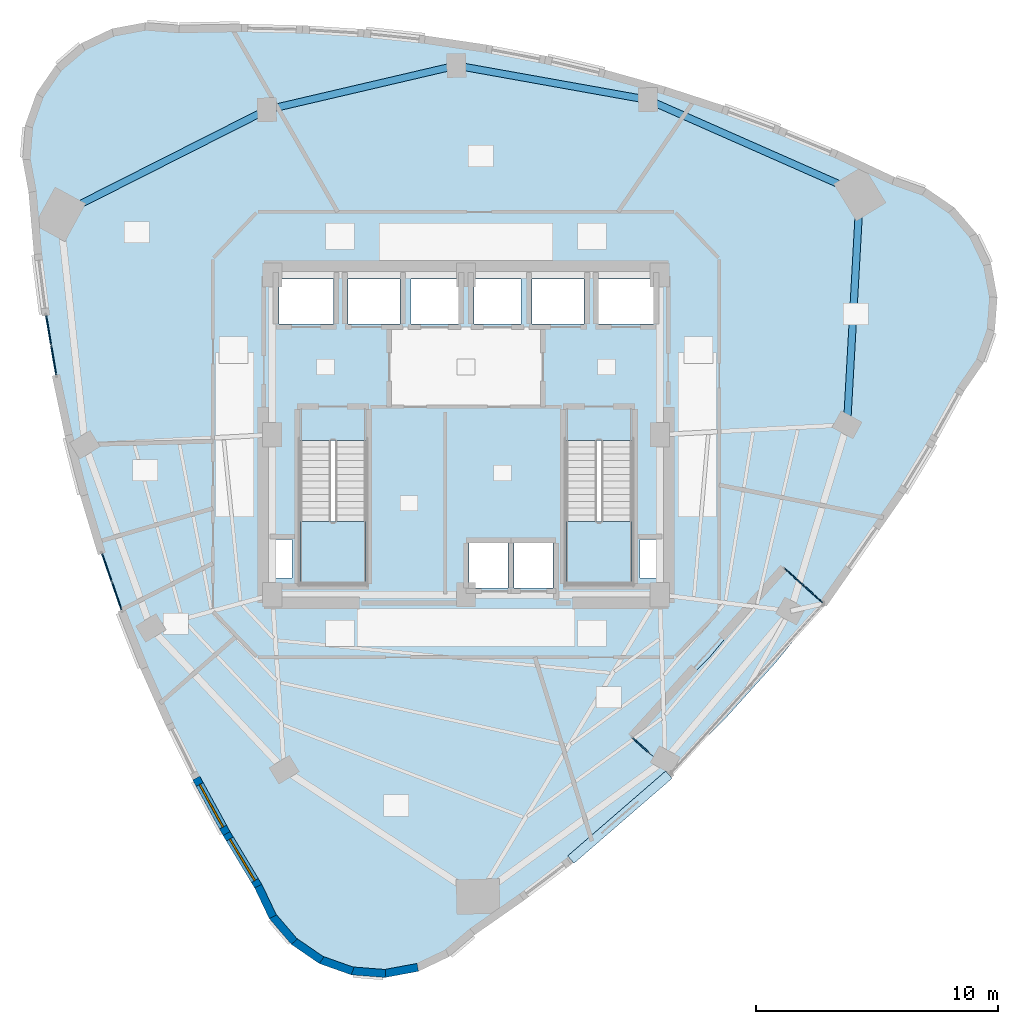
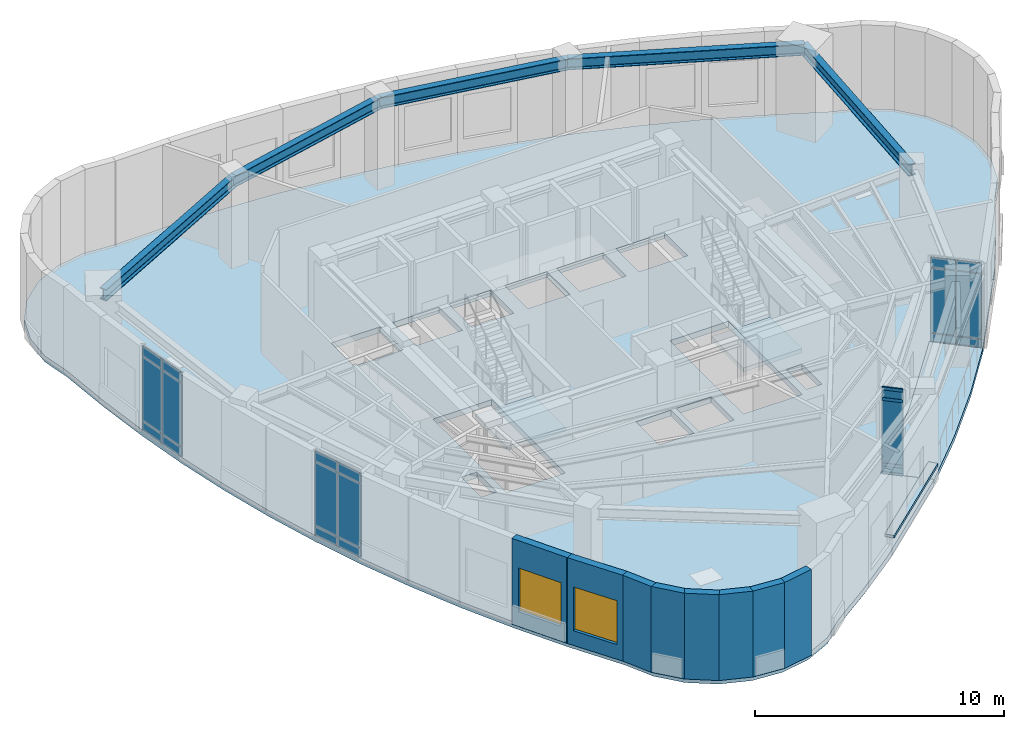
# One storey, part 11 of 18: 22 plates, 8 walls, 5 beams, 4 members, 4 slabs, 2 windows, 2 openings, 6 elements without a shape of their own.
"""IFC4 building model written with IfcOpenShell, lengths in metres."""

from ifc_helpers import new_model, si_unit, direction, frame, frame_2d, origin, origin_2d, place, context, subcontext, project, spatial, polyline, rectangle, hollow_rectangle, i_section, outline, extrude, material, layer, layer_set, material_profile, profile_set, type_object, element, fill, aggregate, save


model = new_model("IFC4")

# Units and contexts
model_context = context("Model", 3, precision=1e-05, world=origin(), true_north=direction((0.0, 1.0)))
body_context = subcontext(model_context, "Body", "Model", "MODEL_VIEW")
ifc_project = project(units=[si_unit("LENGTHUNIT", "METRE"), si_unit("AREAUNIT", "SQUARE_METRE"), si_unit("VOLUMEUNIT", "CUBIC_METRE"), si_unit("PLANEANGLEUNIT", "RADIAN"), si_unit("MASSUNIT", "GRAM", prefix="KILO")], contexts=[model_context])

# Site, building, storey
site_placement = place(None, origin())
site = spatial("IfcSite", under=ifc_project, at=site_placement, CompositionType="ELEMENT")
building_placement = place(site_placement, origin())
building = spatial("IfcBuilding", under=site, at=building_placement, Name="Ndelora Gate Hotel", CompositionType="ELEMENT")
storey_placement = place(building_placement, frame((0.0, 0.0, 173.75)))
storey = spatial("IfcBuildingStorey", under=building, at=storey_placement, Name="L43", CompositionType="ELEMENT", Elevation=173.75)

# Beams
ifc_material_1 = material(Name="Steel S355", Category="steel")
ifc_material_profile_1 = material_profile(ifc_material_1, i_section(OverallWidth=0.300048828125, OverallDepth=0.550048828125, WebThickness=0.014892578125, FlangeThickness=0.029052734375, FilletRadius=0.027099609375, at=origin_2d()), Name="HEB 550")
ifc_profile_set_1 = profile_set([ifc_material_profile_1], Name="Steel S355")
beam_type = type_object("IfcBeamType", Name="BM-RING-550", PredefinedType="SPANDREL", material=ifc_profile_set_1)
beam_1_placement = place(storey_placement, frame((15.72998046875, 0.411865234375, 3.93505859375), z_axis=(0.055426206248, 0.998462786318, 0.0), x_axis=(-0.998462786318, 0.055426206248, 0.0)))
element("IfcBeam", 1, at=beam_1_placement, inside=storey, type_object=beam_type, Name="L43 Perimeter Spandrel Girder 8", PredefinedType="SPANDREL", context=body_context, shape_type="SweptSolid", body=[
    extrude(i_section(OverallWidth=0.300048828125, OverallDepth=0.550048828125, WebThickness=0.014892578125, FlangeThickness=0.029052734375, FilletRadius=0.027099609375, at=origin_2d()), origin(), (0.0, 0.0, 1.0), 9.567138671875),
])
beam_2_placement = place(storey_placement, frame((16.26025390625, 9.96435546875, 3.93505859375), z_axis=(-0.914807449647, 0.403890245078, 0.0), x_axis=(-0.403890245078, -0.914807449647, 0.0)))
element("IfcBeam", 2, at=beam_2_placement, inside=storey, type_object=beam_type, Name="L43 Perimeter Spandrel Girder 9", PredefinedType="SPANDREL", context=body_context, shape_type="SweptSolid", body=[
    extrude(i_section(OverallWidth=0.300048828125, OverallDepth=0.550048828125, WebThickness=0.014892578125, FlangeThickness=0.029052734375, FilletRadius=0.027099609375, at=origin_2d()), origin(), (0.0, 0.0, 1.0), 9.56689453125),
])
for number, where, z_axis, x_axis, name in (
    (3, (7.50830078125, 13.828369140625, 3.93505859375), (-0.984373619655, 0.176092523767, 0.0), (-0.176092523767, -0.984373619655, 0.0), "L43 Perimeter Spandrel Girder 10"),
    (4, (-0.399169921875, 15.242919921875, 3.93505859375), (-0.973809142107, -0.227367004529, 0.0), (0.227367004529, -0.973809142107, 0.0), "L43 Perimeter Spandrel Girder 11"),
):
    element("IfcBeam", number, at=place(storey_placement, frame(where, z_axis=z_axis, x_axis=x_axis)), inside=storey, type_object=beam_type, Name=name, PredefinedType="SPANDREL", context=body_context, shape_type="SweptSolid", body=[
        extrude(i_section(OverallWidth=0.300048828125, OverallDepth=0.550048828125, WebThickness=0.014892578125, FlangeThickness=0.029052734375, FilletRadius=0.027099609375, at=origin_2d()), origin(), (0.0, 0.0, 1.0), 8.032958984375),
    ])
beam_3_placement = place(storey_placement, frame((-8.2216796875, 13.41650390625, 3.93505859375), z_axis=(-0.89241242978, -0.451220628045, 0.0), x_axis=(0.451220628045, -0.89241242978, 0.0)))
element("IfcBeam", 5, at=beam_3_placement, inside=storey, type_object=beam_type, Name="L43 Perimeter Spandrel Girder 12", PredefinedType="SPANDREL", context=body_context, shape_type="SweptSolid", body=[
    extrude(i_section(OverallWidth=0.300048828125, OverallDepth=0.550048828125, WebThickness=0.014892578125, FlangeThickness=0.029052734375, FilletRadius=0.027099609375, at=origin_2d()), origin(), (0.0, 0.0, 1.0), 9.567138671875),
])

# Curtain wall, members, plates
ifc_material_2 = material(Name="Bronze Anodised Unitised Aluminium and Low-E Glass", Category="aluminium")
ifc_layer_1 = layer(ifc_material_2, 0.199951171875)
ifc_layer_set_1 = layer_set([ifc_layer_1], Name="Bronze Anodised Unitised Aluminium and Low-E Glass")
curtain_wall_type_1 = type_object("IfcCurtainWallType", Name="CW-SYS-3", PredefinedType="NOTDEFINED", material=ifc_layer_set_1)
curtain_wall_1_placement = place(storey_placement, origin())
curtain_wall_1 = element("IfcCurtainWall", 6, at=curtain_wall_1_placement, inside=storey, type_object=curtain_wall_type_1, Name="L43 Sky-Garden Loggia Side Curtain Wall CW3-1", PredefinedType="NOTDEFINED")
ifc_material_3 = material(Name="Bronze Anodised Aluminium 6063-T6", Category="aluminium")
ifc_material_profile_2 = material_profile(ifc_material_3, hollow_rectangle(XDim=0.06494140625, YDim=0.159912109375, WallThickness=0.00390625, InnerFilletRadius=0.00390625, OuterFilletRadius=0.008056640625, at=origin_2d()), Name="ALU 160x65x4")
ifc_profile_set_2 = profile_set([ifc_material_profile_2], Name="Bronze Anodised Aluminium 6063-T6")
member_type = type_object("IfcMemberType", Name="MB-CW-TRN150", PredefinedType="USERDEFINED", material=ifc_profile_set_2)
member_1_placement = place(storey_placement, frame((6.879150390625, -12.5185546875, 0.032470703125), z_axis=(0.743251875672, -0.669011695944, 0.0), x_axis=(0.669011695944, 0.743251875672, 0.0)))
member_1 = element("IfcMember", 7, at=member_1_placement, type_object=member_type, Name="CW3 transom 1.1", ObjectType="TRANSOM", PredefinedType="USERDEFINED", context=body_context, shape_type="SweptSolid", body=[
    extrude(hollow_rectangle(XDim=0.06494140625, YDim=0.159912109375, WallThickness=0.00390625, InnerFilletRadius=0.00390625, OuterFilletRadius=0.008056640625, at=origin_2d()), origin(), (0.0, 0.0, 1.0), 0.861572265625),
])
member_2_placement = place(storey_placement, frame((6.879150390625, -12.5185546875, 0.449951171875), z_axis=(0.743251875672, -0.669011695944, 0.0), x_axis=(0.669011695944, 0.743251875672, 0.0)))
member_2 = element("IfcMember", 8, at=member_2_placement, type_object=member_type, Name="CW3 transom 1.2", ObjectType="TRANSOM", PredefinedType="USERDEFINED", context=body_context, shape_type="SweptSolid", body=[
    extrude(hollow_rectangle(XDim=0.06494140625, YDim=0.159912109375, WallThickness=0.00390625, InnerFilletRadius=0.00390625, OuterFilletRadius=0.008056640625, at=origin_2d()), origin(), (0.0, 0.0, 1.0), 0.861572265625),
])
member_3_placement = place(storey_placement, frame((6.879150390625, -12.5185546875, 3.659912109375), z_axis=(0.743251875672, -0.669011695944, 0.0), x_axis=(0.669011695944, 0.743251875672, 0.0)))
member_3 = element("IfcMember", 9, at=member_3_placement, type_object=member_type, Name="CW3 transom 1.3", ObjectType="TRANSOM", PredefinedType="USERDEFINED", context=body_context, shape_type="SweptSolid", body=[
    extrude(hollow_rectangle(XDim=0.06494140625, YDim=0.159912109375, WallThickness=0.00390625, InnerFilletRadius=0.00390625, OuterFilletRadius=0.008056640625, at=origin_2d()), origin(), (0.0, 0.0, 1.0), 0.861572265625),
])
member_4_placement = place(storey_placement, frame((6.879150390625, -12.5185546875, 4.177490234375), z_axis=(0.743251875672, -0.669011695944, 0.0), x_axis=(0.669011695944, 0.743251875672, 0.0)))
member_4 = element("IfcMember", 10, at=member_4_placement, type_object=member_type, Name="CW3 transom 1.4", ObjectType="TRANSOM", PredefinedType="USERDEFINED", context=body_context, shape_type="SweptSolid", body=[
    extrude(hollow_rectangle(XDim=0.06494140625, YDim=0.159912109375, WallThickness=0.00390625, InnerFilletRadius=0.00390625, OuterFilletRadius=0.008056640625, at=origin_2d()), origin(), (0.0, 0.0, 1.0), 0.861572265625),
])
ifc_material_4 = material(Name="Solar-Control Low-E Insulated Glazing", Category="glass")
ifc_layer_2 = layer(ifc_material_4, 0.048095703125)
ifc_layer_set_2 = layer_set([ifc_layer_2], Name="Solar-Control Low-E Insulated Glazing")
plate_type_1 = type_object("IfcPlateType", Name="PL-CW-GLZ36", PredefinedType="CURTAIN_PANEL", material=ifc_layer_set_2)
plate_1_placement = place(storey_placement, frame((7.199462890625, -12.806884765625, 0.05908203125), z_axis=(0.0, 0.0, 1.0), x_axis=(0.743146908901, -0.669128292476, 0.0)))
plate_1 = element("IfcPlate", 11, at=plate_1_placement, type_object=plate_type_1, Name="CW3 panel 1.1", PredefinedType="CURTAIN_PANEL", context=body_context, shape_type="SweptSolid", body=[
    extrude(rectangle(XDim=0.861572265625, YDim=0.048095703125, at=origin_2d()), origin(), (0.0, 0.0, 1.0), 0.364501953125),
])
plate_2_placement = place(storey_placement, frame((7.199462890625, -12.806884765625, 0.4765625), z_axis=(0.0, 0.0, 1.0), x_axis=(0.743146908901, -0.669128292476, 0.0)))
plate_2 = element("IfcPlate", 12, at=plate_2_placement, type_object=plate_type_1, Name="CW3 panel 1.2", PredefinedType="CURTAIN_PANEL", context=body_context, shape_type="SweptSolid", body=[
    extrude(rectangle(XDim=0.861572265625, YDim=0.048095703125, at=origin_2d()), origin(), (0.0, 0.0, 1.0), 3.156982421875),
])
plate_3_placement = place(storey_placement, frame((7.199462890625, -12.806884765625, 3.6865234375), z_axis=(0.0, 0.0, 1.0), x_axis=(0.743146908901, -0.669128292476, 0.0)))
plate_3 = element("IfcPlate", 13, at=plate_3_placement, type_object=plate_type_1, Name="CW3 panel 1.3", PredefinedType="CURTAIN_PANEL", context=body_context, shape_type="SweptSolid", body=[
    extrude(rectangle(XDim=0.861572265625, YDim=0.048095703125, at=origin_2d()), origin(), (0.0, 0.0, 1.0), 0.464599609375),
])
aggregate(curtain_wall_1, [member_1, member_2, member_3, member_4, plate_1, plate_2, plate_3])

# Curtain wall, plates
curtain_wall_2_placement = place(storey_placement, origin())
curtain_wall_2 = element("IfcCurtainWall", 14, at=curtain_wall_2_placement, inside=storey, type_object=curtain_wall_type_1, Name="L43 Sky-Garden Loggia Side Curtain Wall CW3-2", PredefinedType="NOTDEFINED")
plate_4_placement = place(storey_placement, frame((14.33935546875, -6.5869140625, 0.05908203125), z_axis=(0.0, 0.0, 1.0), x_axis=(-0.743138173886, 0.669137993626, 0.0)))
plate_4 = element("IfcPlate", 15, at=plate_4_placement, type_object=plate_type_1, Name="CW3 panel 1.1", PredefinedType="CURTAIN_PANEL", context=body_context, shape_type="SweptSolid", body=[
    extrude(rectangle(XDim=1.014404296875, YDim=0.048095703125, at=origin_2d()), origin(), (0.0, 0.0, 1.0), 0.364501953125),
])
plate_5_placement = place(storey_placement, frame((14.33935546875, -6.5869140625, 0.4765625), z_axis=(0.0, 0.0, 1.0), x_axis=(-0.743138173886, 0.669137993626, 0.0)))
plate_5 = element("IfcPlate", 16, at=plate_5_placement, type_object=plate_type_1, Name="CW3 panel 1.2", PredefinedType="CURTAIN_PANEL", context=body_context, shape_type="SweptSolid", body=[
    extrude(rectangle(XDim=1.014404296875, YDim=0.048095703125, at=origin_2d()), origin(), (0.0, 0.0, 1.0), 3.156982421875),
])
plate_6_placement = place(storey_placement, frame((14.33935546875, -6.5869140625, 3.6865234375), z_axis=(0.0, 0.0, 1.0), x_axis=(-0.743138173886, 0.669137993626, 0.0)))
plate_6 = element("IfcPlate", 17, at=plate_6_placement, type_object=plate_type_1, Name="CW3 panel 1.3", PredefinedType="CURTAIN_PANEL", context=body_context, shape_type="SweptSolid", body=[
    extrude(rectangle(XDim=1.014404296875, YDim=0.048095703125, at=origin_2d()), origin(), (0.0, 0.0, 1.0), 0.464599609375),
])
plate_7_placement = place(storey_placement, frame((13.546142578125, -5.87255859375, 0.05908203125), z_axis=(0.0, 0.0, 1.0), x_axis=(-0.743138173886, 0.669137993626, 0.0)))
plate_7 = element("IfcPlate", 18, at=plate_7_placement, type_object=plate_type_1, Name="CW3 panel 2.1", PredefinedType="CURTAIN_PANEL", context=body_context, shape_type="SweptSolid", body=[
    extrude(rectangle(XDim=1.014404296875, YDim=0.048095703125, at=origin_2d()), origin(), (0.0, 0.0, 1.0), 0.364501953125),
])
plate_8_placement = place(storey_placement, frame((13.546142578125, -5.87255859375, 0.4765625), z_axis=(0.0, 0.0, 1.0), x_axis=(-0.743138173886, 0.669137993626, 0.0)))
plate_8 = element("IfcPlate", 19, at=plate_8_placement, type_object=plate_type_1, Name="CW3 panel 2.2", PredefinedType="CURTAIN_PANEL", context=body_context, shape_type="SweptSolid", body=[
    extrude(rectangle(XDim=1.014404296875, YDim=0.048095703125, at=origin_2d()), origin(), (0.0, 0.0, 1.0), 3.156982421875),
])
plate_9_placement = place(storey_placement, frame((13.546142578125, -5.87255859375, 3.6865234375), z_axis=(0.0, 0.0, 1.0), x_axis=(-0.743138173886, 0.669137993626, 0.0)))
plate_9 = element("IfcPlate", 20, at=plate_9_placement, type_object=plate_type_1, Name="CW3 panel 2.3", PredefinedType="CURTAIN_PANEL", context=body_context, shape_type="SweptSolid", body=[
    extrude(rectangle(XDim=1.014404296875, YDim=0.048095703125, at=origin_2d()), origin(), (0.0, 0.0, 1.0), 0.464599609375),
])
aggregate(curtain_wall_2, [plate_4, plate_5, plate_6, plate_7, plate_8, plate_9])

ifc_layer_3 = layer(ifc_material_2, 0.2099609375)
ifc_layer_set_3 = layer_set([ifc_layer_3], Name="Bronze Anodised Unitised Aluminium and Low-E Glass")
curtain_wall_type_2 = type_object("IfcCurtainWallType", Name="CW-SYS-5", PredefinedType="NOTDEFINED", material=ifc_layer_set_3)
curtain_wall_3_placement = place(storey_placement, origin())
curtain_wall_3 = element("IfcCurtainWall", 21, at=curtain_wall_3_placement, inside=storey, type_object=curtain_wall_type_2, Name="L43 Upper Sky-Lobby & Altitude Fitness Curtain Wall 1", PredefinedType="NOTDEFINED")
plate_10_placement = place(storey_placement, frame((-17.23876953125, 4.31103515625, 0.05908203125), z_axis=(0.0, 0.0, 1.0), x_axis=(0.167587967095, -0.985857126203, 0.0)))
plate_10 = element("IfcPlate", 22, at=plate_10_placement, type_object=plate_type_1, Name="CW5 panel 1.1", PredefinedType="CURTAIN_PANEL", context=body_context, shape_type="SweptSolid", body=[
    extrude(rectangle(XDim=1.205810546875, YDim=0.048095703125, at=origin_2d()), origin(), (0.0, 0.0, 1.0), 0.41455078125),
])
plate_11_placement = place(storey_placement, frame((-17.23876953125, 4.31103515625, 0.526611328125), z_axis=(0.0, 0.0, 1.0), x_axis=(0.167587967095, -0.985857126203, 0.0)))
plate_11 = element("IfcPlate", 23, at=plate_11_placement, type_object=plate_type_1, Name="CW5 panel 1.2", PredefinedType="CURTAIN_PANEL", context=body_context, shape_type="SweptSolid", body=[
    extrude(rectangle(XDim=1.205810546875, YDim=0.048095703125, at=origin_2d()), origin(), (0.0, 0.0, 1.0), 3.10693359375),
])
plate_12_placement = place(storey_placement, frame((-17.23876953125, 4.31103515625, 3.6865234375), z_axis=(0.0, 0.0, 1.0), x_axis=(0.167587967095, -0.985857126203, 0.0)))
plate_12 = element("IfcPlate", 24, at=plate_12_placement, type_object=plate_type_1, Name="CW5 panel 1.3", PredefinedType="CURTAIN_PANEL", context=body_context, shape_type="SweptSolid", body=[
    extrude(rectangle(XDim=1.205810546875, YDim=0.048095703125, at=origin_2d()), origin(), (0.0, 0.0, 1.0), 0.464599609375),
])
plate_13_placement = place(storey_placement, frame((-17.02783203125, 3.070068359375, 0.05908203125), z_axis=(0.0, 0.0, 1.0), x_axis=(0.167587967095, -0.985857126203, 0.0)))
plate_13 = element("IfcPlate", 25, at=plate_13_placement, type_object=plate_type_1, Name="CW5 panel 2.1", PredefinedType="CURTAIN_PANEL", context=body_context, shape_type="SweptSolid", body=[
    extrude(rectangle(XDim=1.205810546875, YDim=0.048095703125, at=origin_2d()), origin(), (0.0, 0.0, 1.0), 0.41455078125),
])
plate_14_placement = place(storey_placement, frame((-17.02783203125, 3.070068359375, 0.526611328125), z_axis=(0.0, 0.0, 1.0), x_axis=(0.167587967095, -0.985857126203, 0.0)))
plate_14 = element("IfcPlate", 26, at=plate_14_placement, type_object=plate_type_1, Name="CW5 panel 2.2", PredefinedType="CURTAIN_PANEL", context=body_context, shape_type="SweptSolid", body=[
    extrude(rectangle(XDim=1.205810546875, YDim=0.048095703125, at=origin_2d()), origin(), (0.0, 0.0, 1.0), 3.10693359375),
])
plate_15_placement = place(storey_placement, frame((-17.02783203125, 3.070068359375, 3.6865234375), z_axis=(0.0, 0.0, 1.0), x_axis=(0.167587967095, -0.985857126203, 0.0)))
plate_15 = element("IfcPlate", 27, at=plate_15_placement, type_object=plate_type_1, Name="CW5 panel 2.3", PredefinedType="CURTAIN_PANEL", context=body_context, shape_type="SweptSolid", body=[
    extrude(rectangle(XDim=1.205810546875, YDim=0.048095703125, at=origin_2d()), origin(), (0.0, 0.0, 1.0), 0.464599609375),
])
aggregate(curtain_wall_3, [plate_10, plate_11, plate_12, plate_13, plate_14, plate_15])

curtain_wall_4_placement = place(storey_placement, origin())
curtain_wall_4 = element("IfcCurtainWall", 28, at=curtain_wall_4_placement, inside=storey, type_object=curtain_wall_type_2, Name="L43 Upper Sky-Lobby & Altitude Fitness Curtain Wall 2", PredefinedType="NOTDEFINED")
plate_16_placement = place(storey_placement, frame((-14.831298828125, -5.48681640625, 0.05908203125), z_axis=(0.0, 0.0, 1.0), x_axis=(0.32888627499, -0.944369534728, 0.0)))
plate_16 = element("IfcPlate", 29, at=plate_16_placement, type_object=plate_type_1, Name="CW5 panel 1.1", PredefinedType="CURTAIN_PANEL", context=body_context, shape_type="SweptSolid", body=[
    extrude(rectangle(XDim=1.192626953125, YDim=0.048095703125, at=origin_2d()), origin(), (0.0, 0.0, 1.0), 0.41455078125),
])
plate_17_placement = place(storey_placement, frame((-14.831298828125, -5.48681640625, 0.526611328125), z_axis=(0.0, 0.0, 1.0), x_axis=(0.32888627499, -0.944369534728, 0.0)))
plate_17 = element("IfcPlate", 30, at=plate_17_placement, type_object=plate_type_1, Name="CW5 panel 1.2", PredefinedType="CURTAIN_PANEL", context=body_context, shape_type="SweptSolid", body=[
    extrude(rectangle(XDim=1.192626953125, YDim=0.048095703125, at=origin_2d()), origin(), (0.0, 0.0, 1.0), 3.10693359375),
])
plate_18_placement = place(storey_placement, frame((-14.831298828125, -5.48681640625, 3.6865234375), z_axis=(0.0, 0.0, 1.0), x_axis=(0.32888627499, -0.944369534728, 0.0)))
plate_18 = element("IfcPlate", 31, at=plate_18_placement, type_object=plate_type_1, Name="CW5 panel 1.3", PredefinedType="CURTAIN_PANEL", context=body_context, shape_type="SweptSolid", body=[
    extrude(rectangle(XDim=1.192626953125, YDim=0.048095703125, at=origin_2d()), origin(), (0.0, 0.0, 1.0), 0.464599609375),
])
plate_19_placement = place(storey_placement, frame((-14.421630859375, -6.6630859375, 0.05908203125), z_axis=(0.0, 0.0, 1.0), x_axis=(0.32888627499, -0.944369534728, 0.0)))
plate_19 = element("IfcPlate", 32, at=plate_19_placement, type_object=plate_type_1, Name="CW5 panel 2.1", PredefinedType="CURTAIN_PANEL", context=body_context, shape_type="SweptSolid", body=[
    extrude(rectangle(XDim=1.192626953125, YDim=0.048095703125, at=origin_2d()), origin(), (0.0, 0.0, 1.0), 0.41455078125),
])
plate_20_placement = place(storey_placement, frame((-14.421630859375, -6.6630859375, 0.526611328125), z_axis=(0.0, 0.0, 1.0), x_axis=(0.32888627499, -0.944369534728, 0.0)))
plate_20 = element("IfcPlate", 33, at=plate_20_placement, type_object=plate_type_1, Name="CW5 panel 2.2", PredefinedType="CURTAIN_PANEL", context=body_context, shape_type="SweptSolid", body=[
    extrude(rectangle(XDim=1.192626953125, YDim=0.048095703125, at=origin_2d()), origin(), (0.0, 0.0, 1.0), 3.10693359375),
])
plate_21_placement = place(storey_placement, frame((-14.421630859375, -6.6630859375, 3.6865234375), z_axis=(0.0, 0.0, 1.0), x_axis=(0.32888627499, -0.944369534728, 0.0)))
plate_21 = element("IfcPlate", 34, at=plate_21_placement, type_object=plate_type_1, Name="CW5 panel 2.3", PredefinedType="CURTAIN_PANEL", context=body_context, shape_type="SweptSolid", body=[
    extrude(rectangle(XDim=1.192626953125, YDim=0.048095703125, at=origin_2d()), origin(), (0.0, 0.0, 1.0), 0.464599609375),
])
aggregate(curtain_wall_4, [plate_16, plate_17, plate_18, plate_19, plate_20, plate_21])

# Plate
ifc_material_5 = material(Name="Precast concrete C40/50", Category="concrete")
ifc_layer_4 = layer(ifc_material_5, 0.125)
ifc_layer_set_4 = layer_set([ifc_layer_4], Name="Precast concrete C40/50")
plate_type_2 = type_object("IfcPlateType", Name="PL-SILL-120", PredefinedType="USERDEFINED", material=ifc_layer_set_4)
plate_22_placement = place(storey_placement, frame((6.35107421875, -15.7861328125, 0.78759765625), z_axis=(0.0, 0.0, 1.0), x_axis=(0.755967731484, 0.654608882429, 0.0)))
element("IfcPlate", 35, at=plate_22_placement, inside=storey, type_object=plate_type_2, Name="L43 Streamline Precast Ribbon Sill 31", ObjectType="RIBBON_SILL", PredefinedType="USERDEFINED", context=body_context, shape_type="SweptSolid", body=[
    extrude(rectangle(XDim=5.35693359375, YDim=0.39990234375, at=origin_2d()), origin(), (0.0, 0.0, 1.0), 0.125),
])

# Stair, slab
stair_type = type_object("IfcStairType", Name="STR-DOG-CORE", PredefinedType="HALF_TURN_STAIR", material=ifc_material_5)
stair_1_placement = place(storey_placement, origin())
stair_1 = element("IfcStair", 36, at=stair_1_placement, inside=storey, type_object=stair_type, Name="L43 Protected Core Exit Stair ST4", PredefinedType="HALF_TURN_STAIR")
ifc_layer_5 = layer(ifc_material_5, 0.219970703125)
ifc_layer_set_5 = layer_set([ifc_layer_5], Name="Precast concrete C40/50")
slab_type_1 = type_object("IfcSlabType", Name="SL-LAND-220", PredefinedType="LANDING", material=ifc_layer_set_5)
slab_1_placement = place(storey_placement, frame((0.0, 0.0, 2.050048828125)))
slab_1 = element("IfcSlab", 37, at=slab_1_placement, type_object=slab_type_1, Name="ST4 landing 1", PredefinedType="LANDING", context=body_context, shape_type="SweptSolid", body=[
    extrude(outline(polyline([(-6.85009765625, -3.590087890625), (-6.85009765625, -6.14990234375), (-4.1298828125, -6.14990234375), (-4.1298828125, -3.590087890625), (-6.85009765625, -3.590087890625)])), origin(), (0.0, 0.0, 1.0), 0.199951171875),
])
aggregate(stair_1, [slab_1])

stair_2_placement = place(storey_placement, origin())
stair_2 = element("IfcStair", 38, at=stair_2_placement, inside=storey, type_object=stair_type, Name="L43 Protected Core Exit Stair ST5", PredefinedType="HALF_TURN_STAIR")
slab_2_placement = place(storey_placement, frame((0.0, 0.0, 2.050048828125)))
slab_2 = element("IfcSlab", 39, at=slab_2_placement, type_object=slab_type_1, Name="ST5 landing 1", PredefinedType="LANDING", context=body_context, shape_type="SweptSolid", body=[
    extrude(outline(polyline([(4.1298828125, -3.590087890625), (4.1298828125, -6.14990234375), (6.85009765625, -6.14990234375), (6.85009765625, -3.590087890625), (4.1298828125, -3.590087890625)])), origin(), (0.0, 0.0, 1.0), 0.199951171875),
])
aggregate(stair_2, [slab_2])

# Slabs
ifc_material_6 = material(Name="Concrete C50/60", Category="concrete")
ifc_layer_6 = layer(ifc_material_6, 0.2900390625)
ifc_layer_set_6 = layer_set([ifc_layer_6], Name="Concrete C50/60")
slab_type_2 = type_object("IfcSlabType", Name="SL-SKY-290", PredefinedType="FLOOR", material=ifc_layer_set_6)
slab_3_placement = place(storey_placement, frame((0.0, 0.0, -0.2900390625)))
element("IfcSlab", 40, at=slab_3_placement, inside=storey, type_object=slab_type_2, Name="L43 Structural Floor Slab", PredefinedType="FLOOR", context=body_context, shape_type="SweptSolid", body=[
    extrude(outline(polyline([(-11.87060546875, 16.748291015625), (-13.223876953125, 16.854736328125), (-14.55859375, 16.607421875), (-15.783935546875, 16.02294921875), (-16.816162109375, 15.141357421875), (-17.5849609375, 14.0224609375), (-18.0380859375, 12.742919921875), (-18.14453125, 11.3896484375), (-17.897216796875, 10.054931640625), (-17.672119140625, 7.483154296875), (-17.346435546875, 4.94384765625), (-16.92041015625, 2.437255859375), (-16.39404296875, -0.03662109375), (-15.767333984375, -2.47802734375), (-15.0400390625, -4.88671875), (-14.212646484375, -7.262939453125), (-13.28466796875, -9.6064453125), (-12.25634765625, -11.91748046875), (-11.127685546875, -14.195556640625), (-9.8984375, -16.44140625), (-8.569091796875, -18.654296875), (-7.984619140625, -19.879638671875), (-7.10302734375, -20.911865234375), (-5.984375, -21.6806640625), (-4.70458984375, -22.1337890625), (-3.351318359375, -22.240234375), (-2.0166015625, -21.992919921875), (-0.79150390625, -21.408447265625), (0.24072265625, -20.52685546875), (2.2724609375, -19.106689453125), (4.231689453125, -17.62109375), (8.470458984375, -13.951171875), (6.83544921875, -12.47900390625), (10.1171875, -9.109619140625), (13.125244140625, -5.49365234375), (14.76025390625, -6.9658203125), (17.966796875, -2.36669921875), (19.239501953125, -0.2626953125), (20.439697265625, 1.90625), (21.20849609375, 3.02490234375), (21.66162109375, 4.304443359375), (21.768310546875, 5.65771484375), (21.520751953125, 6.992431640625), (20.936279296875, 8.2177734375), (20.0546875, 9.25), (18.93603515625, 10.018798828125), (17.656494140625, 10.471923828125), (15.31640625, 11.56298828125), (12.95458984375, 12.550537109375), (10.57080078125, 13.434814453125), (8.165283203125, 14.216064453125), (5.737548828125, 14.893798828125), (3.287841796875, 15.468505859375), (0.81640625, 15.93994140625), (-1.677001953125, 16.30810546875), (-4.192626953125, 16.572998046875), (-6.72998046875, 16.734619140625), (-9.289306640625, 16.79296875), (-11.87060546875, 16.748291015625)]), holes=[polyline([(-6.85009765625, -0.22998046875), (-6.85009765625, -6.14990234375), (-4.1298828125, -6.14990234375), (-4.1298828125, -0.22998046875), (-6.85009765625, -0.22998046875)]), polyline([(4.1298828125, -0.22998046875), (4.1298828125, -6.14990234375), (6.85009765625, -6.14990234375), (6.85009765625, -0.22998046875), (4.1298828125, -0.22998046875)]), polyline([(-7.72998046875, 4.570068359375), (-5.469970703125, 4.570068359375), (-5.469970703125, 6.429931640625), (-7.72998046875, 6.429931640625), (-7.72998046875, 4.570068359375)]), polyline([(5.469970703125, 4.570068359375), (7.72998046875, 4.570068359375), (7.72998046875, 6.429931640625), (5.469970703125, 6.429931640625), (5.469970703125, 4.570068359375)]), polyline([(-4.8798828125, 4.570068359375), (-2.719970703125, 4.570068359375), (-2.719970703125, 6.429931640625), (-4.8798828125, 6.429931640625), (-4.8798828125, 4.570068359375)]), polyline([(2.719970703125, 4.570068359375), (4.8798828125, 4.570068359375), (4.8798828125, 6.429931640625), (2.719970703125, 6.429931640625), (2.719970703125, 4.570068359375)]), polyline([(0.1201171875, -6.330078125), (1.739990234375, -6.330078125), (1.739990234375, -4.469970703125), (0.1201171875, -4.469970703125), (0.1201171875, -6.330078125)]), polyline([(1.97998046875, -6.330078125), (3.60009765625, -6.330078125), (3.60009765625, -4.469970703125), (1.97998046875, -4.469970703125), (1.97998046875, -6.330078125)]), polyline([(-2.280029296875, 4.570068359375), (-0.320068359375, 4.570068359375), (-0.320068359375, 6.429931640625), (-2.280029296875, 6.429931640625), (-2.280029296875, 4.570068359375)]), polyline([(0.320068359375, 4.570068359375), (2.280029296875, 4.570068359375), (2.280029296875, 6.429931640625), (0.320068359375, 6.429931640625), (0.320068359375, 4.570068359375)]), polyline([(-7.89990234375, -5.919921875), (-7.179931640625, -5.919921875), (-7.179931640625, -4.320068359375), (-7.89990234375, -4.320068359375), (-7.89990234375, -5.919921875)]), polyline([(7.179931640625, -5.919921875), (7.89990234375, -5.919921875), (7.89990234375, -4.320068359375), (7.179931640625, -4.320068359375), (7.179931640625, -5.919921875)])]), origin(), (0.0, 0.0, 1.0), 0.2900390625),
])
ifc_layer_7 = layer(ifc_material_5, 0.239990234375)
ifc_layer_set_7 = layer_set([ifc_layer_7], Name="Precast concrete C40/50")
slab_type_3 = type_object("IfcSlabType", Name="SL-TER-240", PredefinedType="FLOOR", material=ifc_layer_set_7)
slab_4_placement = place(storey_placement, frame((0.0, 0.0, -0.239990234375)))
element("IfcSlab", 41, at=slab_4_placement, inside=storey, type_object=slab_type_3, Name="L43 Sky Garden Loggia Terrace Slab", PredefinedType="FLOOR", context=body_context, shape_type="SweptSolid", body=[
    extrude(outline(polyline([(6.83544921875, -12.47900390625), (8.470458984375, -13.951171875), (10.6669921875, -11.7548828125), (12.8056640625, -9.3798828125), (14.76025390625, -6.9658203125), (13.125244140625, -5.49365234375), (10.1171875, -9.109619140625), (6.83544921875, -12.47900390625)])), origin(), (0.0, 0.0, 1.0), 0.239990234375),
])

# Wall, opening, window
ifc_material_7 = material(Name="Clay Brick Masonry", Category="masonry")
ifc_layer_8 = layer(ifc_material_7, 0.330078125)
ifc_layer_set_8 = layer_set([ifc_layer_8], Name="Clay Brick Masonry")
wall_type = type_object("IfcWallType", Name="WL-BRICK-330", PredefinedType="SOLIDWALL", material=ifc_layer_set_8)
wall_1_placement = place(storey_placement, frame((-9.886474609375, -16.463134765625, 0.0), z_axis=(0.0, 0.0, 1.0), x_axis=(-0.480129576196, 0.877197577551, 0.0)))
wall_1 = element("IfcWall", 42, at=wall_1_placement, inside=storey, type_object=wall_type, Name="L43 Tower Brick Pier-and-Spandrel Wall TWR-19", PredefinedType="SOLIDWALL", context=body_context, shape_type="SweptSolid", body=[
    extrude(rectangle(XDim=2.610107421875, YDim=0.330078125, at=frame_2d((1.30517578125, 0.0))), origin(), (0.0, 0.0, 1.0), 4.2099609375),
])
opening_1_placement = place(wall_1_placement, frame((0.304931640625, 0.0, 0.719970703125)))
opening_1 = element("IfcOpeningElement", 43, at=opening_1_placement, cuts=wall_1, Name="Opening W05", PredefinedType="OPENING", context=body_context, shape_type="SweptSolid", body=[
    extrude(rectangle(XDim=2.0, YDim=2.14990234375, at=frame_2d((1.0, 1.074951171875))), frame((0.0, 0.175048828125, 0.0), z_axis=(0.0, -1.0, 0.0), x_axis=(1.0, 0.0, 0.0)), (0.0, 0.0, 1.0), 0.35009765625),
])
ifc_material_8 = material(Name="Insulated Low-E Double Glazing in Bronze Aluminium Frame", Category="aluminium")
window_type = type_object("IfcWindowType", Name="WN-SKY-2000", PartitioningType="SINGLE_PANEL", PredefinedType="WINDOW", material=ifc_material_8)
window_1_placement = place(opening_1_placement, origin())
window_1 = element("IfcWindow", 44, at=window_1_placement, inside=storey, type_object=window_type, Name="L43 Deep-Set Brick-Pier Window W05", OverallHeight=2.14990234375, OverallWidth=2.0, PartitioningType="SINGLE_PANEL", PredefinedType="WINDOW", context=body_context, shape_type="SweptSolid", body=[
    extrude(rectangle(XDim=2.0, YDim=2.14990234375, at=frame_2d((1.0, 1.074951171875))), frame((0.0, 0.030029296875, 0.0), z_axis=(0.0, -1.0, 0.0), x_axis=(1.0, 0.0, 0.0)), (0.0, 0.0, 1.0), 0.06005859375),
])
fill(opening_1, window_1)

wall_2_placement = place(storey_placement, frame((-8.55615234375, -18.67578125, 0.0), z_axis=(0.0, 0.0, 1.0), x_axis=(-0.514973174708, 0.857206293334, 0.0)))
wall_2 = element("IfcWall", 45, at=wall_2_placement, inside=storey, type_object=wall_type, Name="L43 Tower Brick Pier-and-Spandrel Wall TWR-20", PredefinedType="SOLIDWALL", context=body_context, shape_type="SweptSolid", body=[
    extrude(rectangle(XDim=2.631591796875, YDim=0.330078125, at=frame_2d((1.31591796875, 0.0))), origin(), (0.0, 0.0, 1.0), 4.2099609375),
])
opening_2_placement = place(wall_2_placement, frame((0.31591796875, 0.0, 0.719970703125)))
opening_2 = element("IfcOpeningElement", 46, at=opening_2_placement, cuts=wall_2, Name="Opening W05", PredefinedType="OPENING", context=body_context, shape_type="SweptSolid", body=[
    extrude(rectangle(XDim=2.0, YDim=2.14990234375, at=frame_2d((1.0, 1.074951171875))), frame((0.0, 0.175048828125, 0.0), z_axis=(0.0, -1.0, 0.0), x_axis=(1.0, 0.0, 0.0)), (0.0, 0.0, 1.0), 0.35009765625),
])
window_2_placement = place(opening_2_placement, origin())
window_2 = element("IfcWindow", 47, at=window_2_placement, inside=storey, type_object=window_type, Name="L43 Deep-Set Brick-Pier Window W05", OverallHeight=2.14990234375, OverallWidth=2.0, PartitioningType="SINGLE_PANEL", PredefinedType="WINDOW", context=body_context, shape_type="SweptSolid", body=[
    extrude(rectangle(XDim=2.0, YDim=2.14990234375, at=frame_2d((1.0, 1.074951171875))), frame((0.0, 0.030029296875, 0.0), z_axis=(0.0, -1.0, 0.0), x_axis=(1.0, 0.0, 0.0)), (0.0, 0.0, 1.0), 0.06005859375),
])
fill(opening_2, window_2)

# Walls
wall_3_placement = place(storey_placement, frame((-7.973876953125, -19.902099609375, 0.0), z_axis=(0.0, 0.0, 1.0), x_axis=(-0.43048556818, 0.902597460438, 0.0)))
element("IfcWall", 48, at=wall_3_placement, inside=storey, type_object=wall_type, Name="L43 Tower Brick Pier-and-Spandrel Wall TWR-21", PredefinedType="SOLIDWALL", context=body_context, shape_type="SweptSolid", body=[
    extrude(rectangle(XDim=1.40771484375, YDim=0.330078125, at=frame_2d((0.703857421875, 0.0))), origin(), (0.0, 0.0, 1.0), 4.2099609375),
])
for number, where, z_axis, x_axis, name in (
    (49, (-7.0869140625, -20.930908203125, 0.0), (0.0, 0.0, 1.0), (-0.649318671118, 0.760516445146, 0.0), "L43 Tower Brick Pier-and-Spandrel Wall TWR-22"),
    (50, (-5.963623046875, -21.69482421875, 0.0), (0.0, 0.0, 1.0), (-0.824148199331, 0.566374209812, 0.0), "L43 Tower Brick Pier-and-Spandrel Wall TWR-23"),
    (51, (-4.68115234375, -22.14208984375, 0.0), (0.0, 0.0, 1.0), (-0.942656791627, 0.33376364871, 0.0), "L43 Tower Brick Pier-and-Spandrel Wall TWR-24"),
    (52, (-3.326416015625, -22.2421875, 0.0), (0.0, 0.0, 1.0), (-0.996921385347, 0.078407598082, 0.0), "L43 Tower Brick Pier-and-Spandrel Wall TWR-25"),
    (53, (-1.9921875, -21.98828125, 0.0), (0.0, 0.0, 1.0), (-0.983239415359, -0.182319094132, 0.0), "L43 Tower Brick Pier-and-Spandrel Wall TWR-26"),
):
    element("IfcWall", number, at=place(storey_placement, frame(where, z_axis=z_axis, x_axis=x_axis)), inside=storey, type_object=wall_type, Name=name, PredefinedType="SOLIDWALL", context=body_context, shape_type="SweptSolid", body=[
        extrude(rectangle(XDim=1.407470703125, YDim=0.330078125, at=frame_2d((0.70361328125, 0.0))), origin(), (0.0, 0.0, 1.0), 4.2099609375),
    ])

save(model, "model.ifc")
